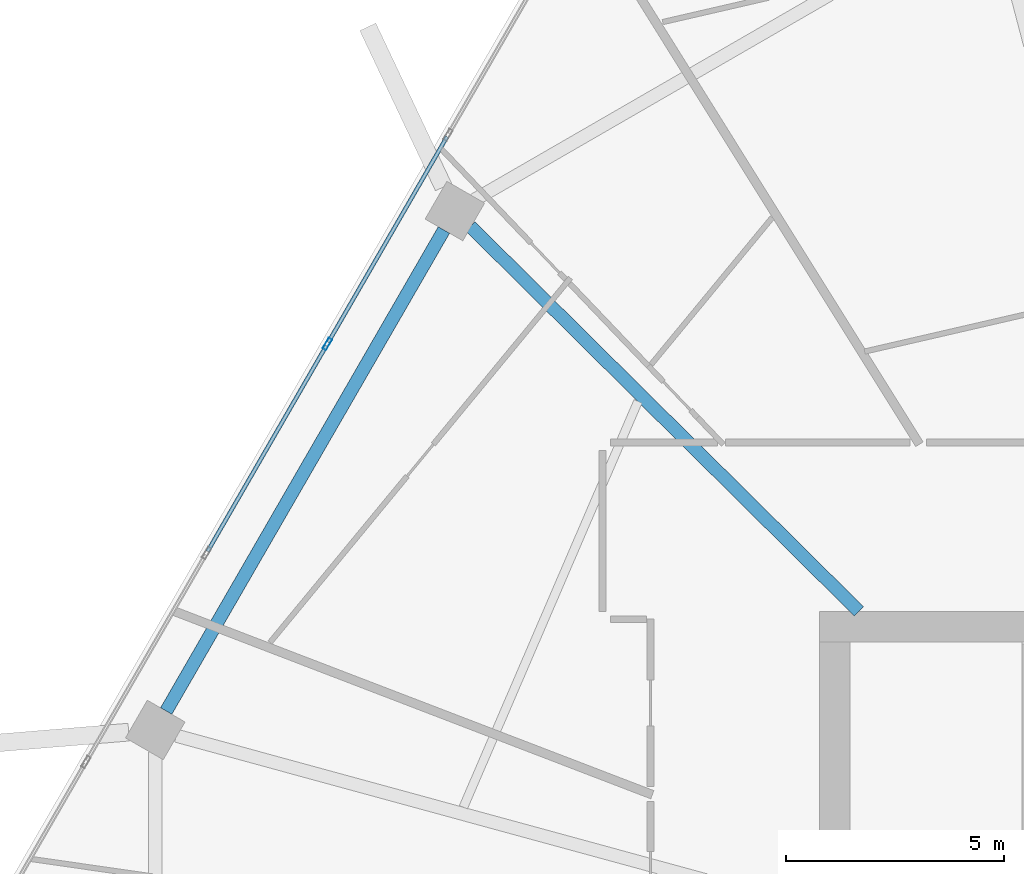
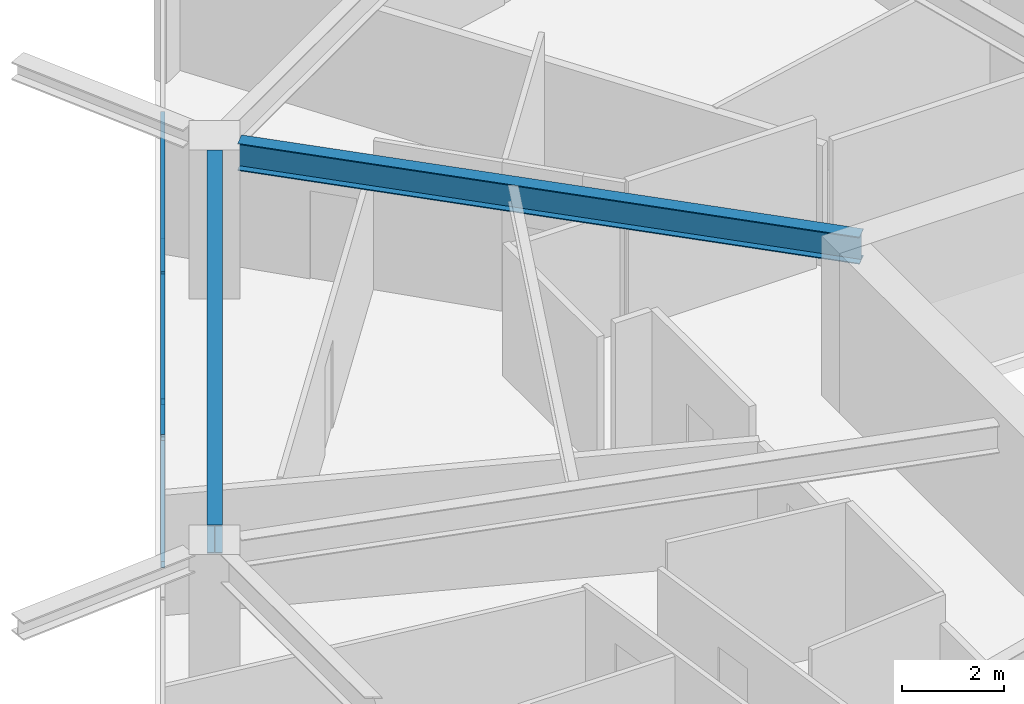
# One storey, part 11 of 27: 5 members, 2 beams, 1 element without a shape of its own.
"""IFC4 building model written with IfcOpenShell, lengths in metres."""

from ifc_helpers import new_model, si_unit, direction, frame, origin, origin_2d, place, context, subcontext, project, spatial, hollow_rectangle, i_section, extrude, material, material_profile, profile_set, type_object, element, aggregate, save


model = new_model("IFC4")

# Units and contexts
model_context = context("Model", 3, precision=1e-05, world=origin(), true_north=direction((0.0, 1.0)))
body_context = subcontext(model_context, "Body", "Model", "MODEL_VIEW")
ifc_project = project(units=[si_unit("LENGTHUNIT", "METRE"), si_unit("AREAUNIT", "SQUARE_METRE"), si_unit("VOLUMEUNIT", "CUBIC_METRE"), si_unit("PLANEANGLEUNIT", "RADIAN"), si_unit("MASSUNIT", "GRAM", prefix="KILO")], contexts=[model_context])

# Site, building, storey
site_placement = place(None, origin())
site = spatial("IfcSite", under=ifc_project, at=site_placement, CompositionType="ELEMENT")
building_placement = place(site_placement, origin())
building = spatial("IfcBuilding", under=site, at=building_placement, Name="Zuhravey Tower", CompositionType="ELEMENT")
storey_placement = place(building_placement, frame((0.0, 0.0, 173.199951171875)))
storey = spatial("IfcBuildingStorey", under=building, at=storey_placement, Name="L43", CompositionType="ELEMENT", Elevation=173.199951171875)

# Curtain wall, members
ifc_material_1 = material(Name="Thermally broken anodised aluminium", Category="aluminium")
curtain_wall_type = type_object("IfcCurtainWallType", Name="Zone 1-2 Residential Curtain Wall CW3", PredefinedType="NOTDEFINED", material=ifc_material_1)
curtain_wall_placement = place(storey_placement, origin())
curtain_wall = element("IfcCurtainWall", 1, at=curtain_wall_placement, inside=storey, type_object=curtain_wall_type, Name="L43 CW3 CW-L43-F3-1", PredefinedType="NOTDEFINED")
ifc_material_2 = material(Name="Anodised aluminium", Category="aluminium")
ifc_material_profile_1 = material_profile(ifc_material_2, hollow_rectangle(XDim=0.090087890625, YDim=0.284912109375, WallThickness=0.0048828125, at=origin_2d()), Name="ALU-RHS-90x285x5")
ifc_profile_set_1 = profile_set([ifc_material_profile_1], Name="Anodised aluminium")
member_type_1 = type_object("IfcMemberType", Name="Curtain-Wall Mullion 90x180", PredefinedType="MULLION", material=ifc_profile_set_1)
member_1_placement = place(storey_placement, frame((13.844970703125, 47.992431640625, 0.0), z_axis=(0.0, 0.0, 1.0), x_axis=(-0.866025138215, 0.500000459979, 0.0)))
member_1 = element("IfcMember", 2, at=member_1_placement, type_object=member_type_1, Name="CW3 mullion 4", PredefinedType="MULLION", context=body_context, shape_type="SweptSolid", body=[
    extrude(hollow_rectangle(XDim=0.090087890625, YDim=0.284912109375, WallThickness=0.0048828125, at=origin_2d()), origin(), (0.0, 0.0, 1.0), 3.1220703125),
])
ifc_material_profile_2 = material_profile(ifc_material_2, hollow_rectangle(XDim=0.090087890625, YDim=0.14990234375, WallThickness=0.0048828125, at=origin_2d()), Name="ALU-RHS-90x150x5")
ifc_profile_set_2 = profile_set([ifc_material_profile_2], Name="Anodised aluminium")
member_type_2 = type_object("IfcMemberType", Name="Curtain-Wall Transom 90x150", PredefinedType="USERDEFINED", material=ifc_profile_set_2)
member_2_placement = place(storey_placement, frame((11.09521484375, 43.229736328125, 0.045166015625), z_axis=(0.499980763544, 0.866036509673, 0.0), x_axis=(-0.866036509673, 0.499980763544, 0.0)))
member_2 = element("IfcMember", 3, at=member_2_placement, type_object=member_type_2, Name="CW3 transom 3.1", ObjectType="TRANSOM", PredefinedType="USERDEFINED", context=body_context, shape_type="SweptSolid", body=[
    extrude(hollow_rectangle(XDim=0.090087890625, YDim=0.14990234375, WallThickness=0.0048828125, at=origin_2d()), origin(), (0.0, 0.0, 1.0), 5.454345703125),
])
member_3_placement = place(storey_placement, frame((11.09521484375, 43.229736328125, 3.0771484375), z_axis=(0.499980763544, 0.866036509673, 0.0), x_axis=(-0.866036509673, 0.499980763544, 0.0)))
member_3 = element("IfcMember", 4, at=member_3_placement, type_object=member_type_2, Name="CW3 transom 3.2", ObjectType="TRANSOM", PredefinedType="USERDEFINED", context=body_context, shape_type="SweptSolid", body=[
    extrude(hollow_rectangle(XDim=0.090087890625, YDim=0.14990234375, WallThickness=0.0048828125, at=origin_2d()), origin(), (0.0, 0.0, 1.0), 5.454345703125),
])
member_4_placement = place(storey_placement, frame((13.867431640625, 48.03125, 0.045166015625), z_axis=(0.49996138257, 0.86604769842, 0.0), x_axis=(-0.86604769842, 0.49996138257, 0.0)))
member_4 = element("IfcMember", 5, at=member_4_placement, type_object=member_type_2, Name="CW3 transom 4.1", ObjectType="TRANSOM", PredefinedType="USERDEFINED", context=body_context, shape_type="SweptSolid", body=[
    extrude(hollow_rectangle(XDim=0.090087890625, YDim=0.14990234375, WallThickness=0.0048828125, at=origin_2d()), origin(), (0.0, 0.0, 1.0), 5.45458984375),
])
member_5_placement = place(storey_placement, frame((13.867431640625, 48.03125, 3.0771484375), z_axis=(0.49996138257, 0.86604769842, 0.0), x_axis=(-0.86604769842, 0.49996138257, 0.0)))
member_5 = element("IfcMember", 6, at=member_5_placement, type_object=member_type_2, Name="CW3 transom 4.2", ObjectType="TRANSOM", PredefinedType="USERDEFINED", context=body_context, shape_type="SweptSolid", body=[
    extrude(hollow_rectangle(XDim=0.090087890625, YDim=0.14990234375, WallThickness=0.0048828125, at=origin_2d()), origin(), (0.0, 0.0, 1.0), 5.45458984375),
])
aggregate(curtain_wall, [member_1, member_2, member_3, member_4, member_5])

# Beams
ifc_material_3 = material(Name="Steel SM355", Category="steel")
ifc_material_profile_3 = material_profile(ifc_material_3, i_section(OverallWidth=0.300048828125, OverallDepth=0.679931640625, WebThickness=0.012939453125, FlangeThickness=0.02197265625, at=origin_2d()), Name="H-680x300x13x22")
ifc_profile_set_3 = profile_set([ifc_material_profile_3], Name="Steel SM355")
beam_type_1 = type_object("IfcBeamType", Name="Perimeter Ring Beam H680x300", PredefinedType="BEAM", material=ifc_profile_set_3)
beam_1_placement = place(storey_placement, frame((16.52294921875, 50.611083984375, 3.2099609375), z_axis=(-0.499997974489, -0.866026573211, 0.0), x_axis=(0.866026573211, -0.499997974489, 0.0)))
element("IfcBeam", 7, at=beam_1_placement, inside=storey, type_object=beam_type_1, Name="L43 PB2 BM-L43-PB-05", PredefinedType="BEAM", context=body_context, shape_type="SweptSolid", body=[
    extrude(i_section(OverallWidth=0.300048828125, OverallDepth=0.679931640625, WebThickness=0.012939453125, FlangeThickness=0.02197265625, at=origin_2d()), origin(), (0.0, 0.0, 1.0), 12.75830078125),
])
ifc_material_profile_4 = material_profile(ifc_material_3, i_section(OverallWidth=0.300048828125, OverallDepth=0.64990234375, WebThickness=0.012939453125, FlangeThickness=0.02197265625, at=origin_2d()), Name="H-650x300x13x22")
ifc_profile_set_4 = profile_set([ifc_material_profile_4], Name="Steel SM355")
beam_type_2 = type_object("IfcBeamType", Name="Radial Primary Girder H650x300", PredefinedType="BEAM", material=ifc_profile_set_4)
beam_2_placement = place(storey_placement, frame((26.054443359375, 41.85302734375, 3.22509765625), z_axis=(-0.71040353357, 0.703794586148, 0.0), x_axis=(-0.703794586148, -0.71040353357, 0.0)))
element("IfcBeam", 8, at=beam_2_placement, inside=storey, type_object=beam_type_2, Name="L43 RG2 BM-L43-RAD-05", PredefinedType="BEAM", context=body_context, shape_type="SweptSolid", body=[
    extrude(i_section(OverallWidth=0.300048828125, OverallDepth=0.64990234375, WebThickness=0.012939453125, FlangeThickness=0.02197265625, at=origin_2d()), origin(), (0.0, 0.0, 1.0), 12.559814453125),
])

save(model, "model.ifc")
